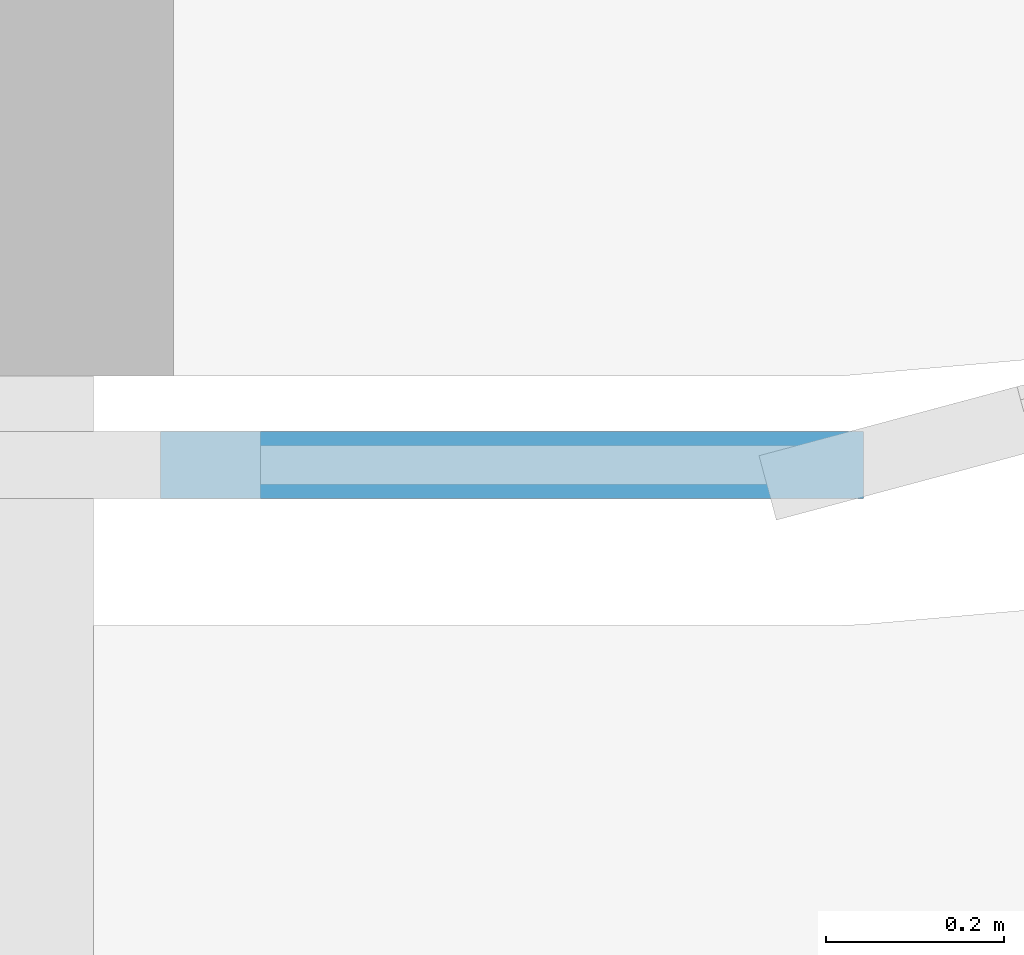
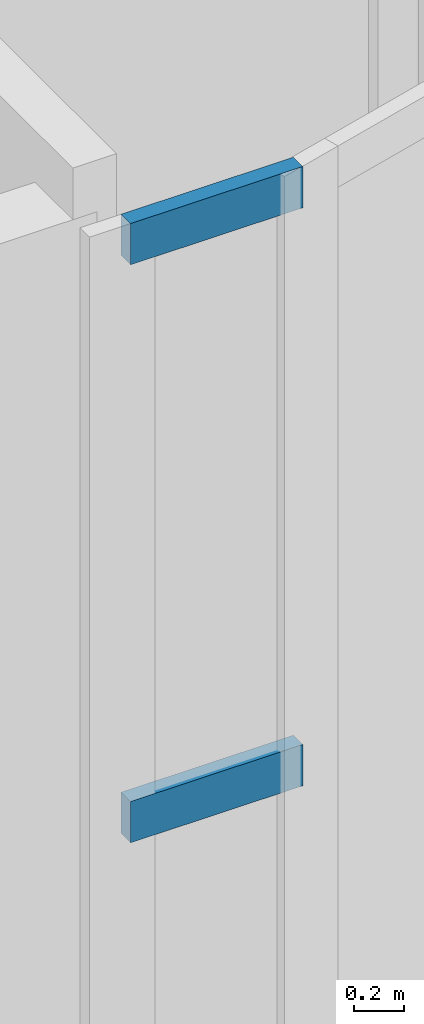
# One storey, part 17 of 46: 2 members, 1 element without a shape of its own.
"""IFC4 building model written with IfcOpenShell, lengths in metres."""

from ifc_helpers import new_model, si_unit, direction, frame, origin, origin_2d, place, context, subcontext, project, spatial, rectangle, extrude, material, layer, layer_set, material_profile, profile_set, type_object, element, aggregate, save


model = new_model("IFC4")

# Units and contexts
model_context = context("Model", 3, precision=1e-05, world=origin(), true_north=direction((0.0, 1.0)))
body_context = subcontext(model_context, "Body", "Model", "MODEL_VIEW")
ifc_project = project(units=[si_unit("LENGTHUNIT", "METRE"), si_unit("AREAUNIT", "SQUARE_METRE"), si_unit("VOLUMEUNIT", "CUBIC_METRE"), si_unit("PLANEANGLEUNIT", "RADIAN"), si_unit("MASSUNIT", "GRAM", prefix="KILO")], contexts=[model_context])

# Site, building, storey
site_placement = place(None, origin())
site = spatial("IfcSite", under=ifc_project, at=site_placement, CompositionType="ELEMENT")
building_placement = place(site_placement, origin())
building = spatial("IfcBuilding", under=site, at=building_placement, Name="Kheshtan School and Residences Tower", CompositionType="ELEMENT")
storey_placement = place(building_placement, origin())
storey = spatial("IfcBuildingStorey", under=building, at=storey_placement, Name="L00", CompositionType="ELEMENT", Elevation=0.0)

# Curtain wall, members
ifc_material_1 = material(Name="Clear low-e glass in thermally broken aluminium frame", Category="aluminium")
ifc_layer = layer(ifc_material_1, 0.300048828125)
ifc_layer_set = layer_set([ifc_layer], Name="Curtain wall CW-A")
curtain_wall_type = type_object("IfcCurtainWallType", Name="Curtain wall CW-A", PredefinedType="NOTDEFINED", material=ifc_layer_set)
curtain_wall_placement = place(storey_placement, origin())
curtain_wall = element("IfcCurtainWall", 1, at=curtain_wall_placement, inside=storey, type_object=curtain_wall_type, Name="Curtain wall CWA12", PredefinedType="NOTDEFINED")
ifc_material_2 = material(Name="Thermally broken aluminium, dark bronze anodised", Category="aluminium")
ifc_material_profile = material_profile(ifc_material_2, rectangle(XDim=0.074951171875, YDim=0.199951171875, at=origin_2d()), Name="CW-A transom 75x200")
ifc_profile_set = profile_set([ifc_material_profile], Name="Thermally broken aluminium, dark bronze anodised")
member_type = type_object("IfcMemberType", Name="CW-A transom 75x200", PredefinedType="USERDEFINED", material=ifc_profile_set)
member_1_placement = place(storey_placement, frame((126.024658203125, 9.89990234375, 4.35009765625), z_axis=(-1.0, 0.0, 0.0), x_axis=(0.0, -1.0, 0.0)))
member_1 = element("IfcMember", 2, at=member_1_placement, type_object=member_type, Name="CWA12 transom 1", ObjectType="TRANSOM", PredefinedType="USERDEFINED", context=body_context, shape_type="SweptSolid", body=[
    extrude(rectangle(XDim=0.074951171875, YDim=0.199951171875, at=origin_2d()), origin(), (0.0, 0.0, 1.0), 0.78955078125),
])
member_2_placement = place(storey_placement, frame((126.024658203125, 9.89990234375, 7.14990234375), z_axis=(-1.0, 0.0, 0.0), x_axis=(0.0, -1.0, 0.0)))
member_2 = element("IfcMember", 3, at=member_2_placement, type_object=member_type, Name="CWA12 transom 2", ObjectType="TRANSOM", PredefinedType="USERDEFINED", context=body_context, shape_type="SweptSolid", body=[
    extrude(rectangle(XDim=0.074951171875, YDim=0.199951171875, at=origin_2d()), origin(), (0.0, 0.0, 1.0), 0.78955078125),
])
aggregate(curtain_wall, [member_1, member_2])

save(model, "model.ifc")
